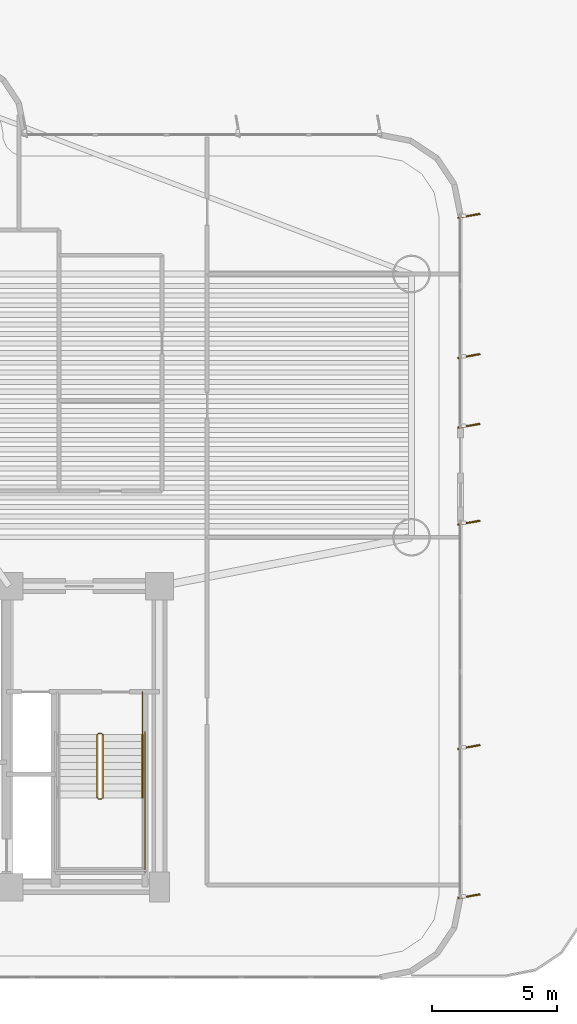
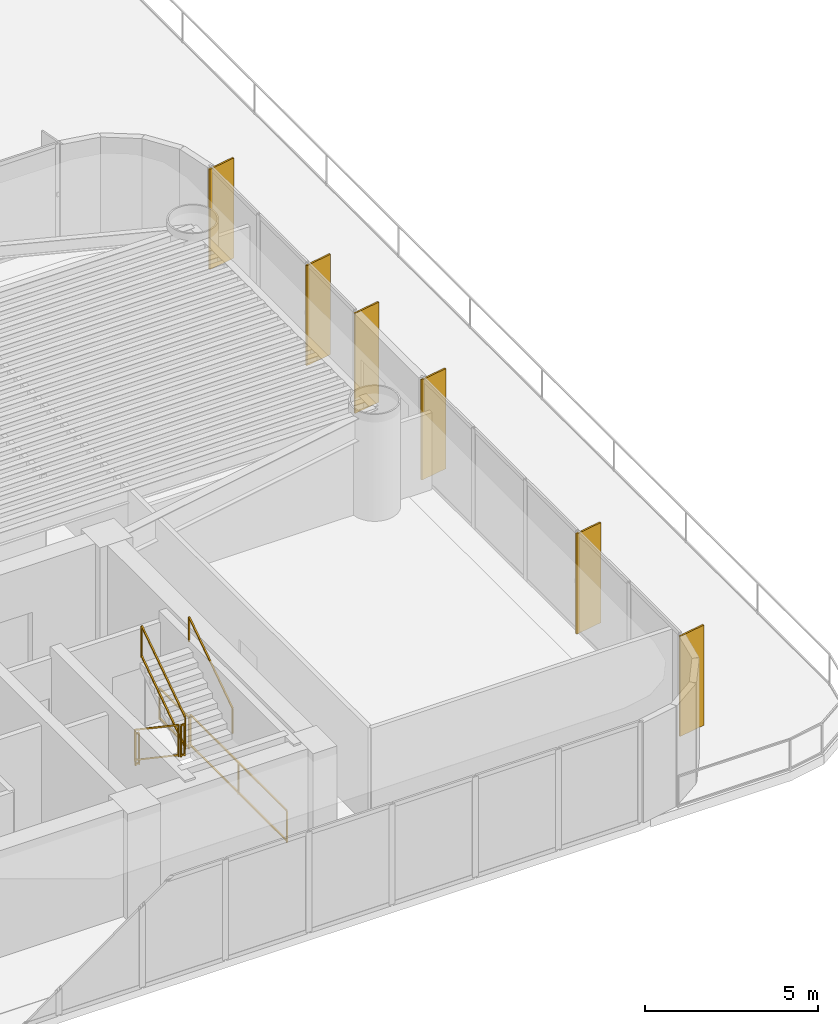
# One storey, part 16 of 17: 7 railings, 6 shading devices.
"""IFC4 building model written with IfcOpenShell, lengths in metres."""

from ifc_helpers import new_model, si_unit, direction, frame, origin, origin_2d, place, context, subcontext, project, spatial, rectangle, extrude, source, transform, mapped, material, layer, layer_set, material_profile, profile_set, type_object, element, save


model = new_model("IFC4")

# Units and contexts
model_context = context("Model", 3, precision=1e-05, world=origin(), true_north=direction((0.0, 1.0)))
body_context = subcontext(model_context, "Body", "Model", "MODEL_VIEW")
ifc_project = project(units=[si_unit("LENGTHUNIT", "METRE"), si_unit("AREAUNIT", "SQUARE_METRE"), si_unit("VOLUMEUNIT", "CUBIC_METRE"), si_unit("PLANEANGLEUNIT", "RADIAN"), si_unit("MASSUNIT", "GRAM", prefix="KILO")], contexts=[model_context])

# Site, building, storey
site_placement = place(None, origin())
site = spatial("IfcSite", under=ifc_project, at=site_placement, CompositionType="ELEMENT")
building_placement = place(site_placement, origin())
building = spatial("IfcBuilding", under=site, at=building_placement, Name="Brelvock Crest Care Tower", CompositionType="ELEMENT")
storey_placement = place(building_placement, frame((0.0, 0.0, 27.0)))
storey = spatial("IfcBuildingStorey", under=building, at=storey_placement, Name="L06", CompositionType="ELEMENT", Elevation=27.0)

# Railings
ifc_material_1 = material(Name="Steel Grade 350", Category="steel")
ifc_layer_1 = layer(ifc_material_1, 0.050048828125, Name="RL-STG1")
ifc_layer_set_1 = layer_set([ifc_layer_1], Name="Steel Grade 350")
railing_type_1 = type_object("IfcRailingType", Name="RL-STG1", PredefinedType="GUARDRAIL", material=ifc_layer_set_1)
railing_1_placement = place(storey_placement, frame((45.52001953125, 12.080078125, 0.18896484375)))
element("IfcRailing", 1, at=railing_1_placement, inside=storey, type_object=railing_type_1, Name="L06 ST-2 stair guard 1", PredefinedType="GUARDRAIL", context=body_context, shape_type="SweptSolid", body=[
    extrude(rectangle(XDim=0.048095703125, YDim=0.048095703125, at=origin_2d()), frame((0.0, -0.001708984375, 1.116943359375), z_axis=(0.0, -0.828861706735, 0.559453546873), x_axis=(1.0, 0.0, 0.0)), (0.0, 0.0, 1.0), 3.036376953125),
    extrude(rectangle(XDim=0.048095703125, YDim=0.048095703125, at=origin_2d()), frame((0.0, -0.001708984375, 0.05615234375), z_axis=(0.0, -0.828861706735, 0.559453546873), x_axis=(1.0, 0.0, 0.0)), (0.0, 0.0, 1.0), 3.036376953125),
    extrude(rectangle(XDim=0.0419921875, YDim=0.0419921875, at=origin_2d()), origin(), (0.0, 0.0, 1.0), 1.08984375),
    extrude(rectangle(XDim=0.0419921875, YDim=0.0419921875, at=origin_2d()), frame((0.0, -2.52001953125, 1.700927734375)), (0.0, 0.0, 1.0), 1.08984375),
])
railing_2_placement = place(storey_placement, frame((45.570068359375, 9.510009765625, 1.889892578125)))
element("IfcRailing", 2, at=railing_2_placement, inside=storey, type_object=railing_type_1, Name="L06 ST-2 stair guard 2", PredefinedType="GUARDRAIL", context=body_context, shape_type="SweptSolid", body=[
    extrude(rectangle(XDim=0.048095703125, YDim=0.048095703125, at=origin_2d()), frame((0.001953125, 0.0, 1.11572265625), z_axis=(1.0, 0.0, 0.0), x_axis=(0.0, 1.0, 0.0)), (0.0, 0.0, 1.0), 0.115966796875),
    extrude(rectangle(XDim=0.048095703125, YDim=0.048095703125, at=origin_2d()), frame((0.001953125, 0.0, 0.054931640625), z_axis=(1.0, 0.0, 0.0), x_axis=(0.0, 1.0, 0.0)), (0.0, 0.0, 1.0), 0.115966796875),
    extrude(rectangle(XDim=0.0419921875, YDim=0.0419921875, at=origin_2d()), origin(), (0.0, 0.0, 1.0), 1.08984375),
    extrude(rectangle(XDim=0.0419921875, YDim=0.0419921875, at=origin_2d()), frame((0.119873046875, 0.0, 0.0)), (0.0, 0.0, 1.0), 1.08984375),
])
railing_3_placement = place(storey_placement, frame((45.739990234375, 9.56005859375, 2.0791015625)))
element("IfcRailing", 3, at=railing_3_placement, inside=storey, type_object=railing_type_1, Name="L06 ST-2 stair guard 6", PredefinedType="GUARDRAIL", context=body_context, shape_type="SweptSolid", body=[
    extrude(rectangle(XDim=0.048095703125, YDim=0.048095703125, at=origin_2d()), frame((0.0, 0.001708984375, 1.116943359375), z_axis=(0.0, 0.828861706735, 0.559453546873), x_axis=(-1.0, 0.0, 0.0)), (0.0, 0.0, 1.0), 3.036376953125),
    extrude(rectangle(XDim=0.048095703125, YDim=0.048095703125, at=origin_2d()), frame((0.0, 0.001708984375, 0.05615234375), z_axis=(0.0, 0.828861706735, 0.559453546873), x_axis=(-1.0, 0.0, 0.0)), (0.0, 0.0, 1.0), 3.036376953125),
    extrude(rectangle(XDim=0.0419921875, YDim=0.0419921875, at=origin_2d()), origin(), (0.0, 0.0, 1.0), 1.08984375),
    extrude(rectangle(XDim=0.0419921875, YDim=0.0419921875, at=origin_2d()), frame((0.0, 2.52001953125, 1.700927734375)), (0.0, 0.0, 1.0), 1.08984375),
])
railing_4_placement = place(storey_placement, frame((45.570068359375, 12.1298828125, 0.0)))
element("IfcRailing", 4, at=railing_4_placement, inside=storey, type_object=railing_type_1, Name="L06 ST-2 stair guard 7", PredefinedType="GUARDRAIL", context=body_context, shape_type="SweptSolid", body=[
    extrude(rectangle(XDim=0.048095703125, YDim=0.048095703125, at=origin_2d()), frame((0.001953125, 0.0, 1.11572265625), z_axis=(1.0, 0.0, 0.0), x_axis=(0.0, 1.0, 0.0)), (0.0, 0.0, 1.0), 0.115966796875),
    extrude(rectangle(XDim=0.048095703125, YDim=0.048095703125, at=origin_2d()), frame((0.001953125, 0.0, 0.054931640625), z_axis=(1.0, 0.0, 0.0), x_axis=(0.0, 1.0, 0.0)), (0.0, 0.0, 1.0), 0.115966796875),
    extrude(rectangle(XDim=0.0419921875, YDim=0.0419921875, at=origin_2d()), origin(), (0.0, 0.0, 1.0), 1.08984375),
    extrude(rectangle(XDim=0.0419921875, YDim=0.0419921875, at=origin_2d()), frame((0.119873046875, 0.0, 0.0)), (0.0, 0.0, 1.0), 1.08984375),
])
railing_5_placement = place(storey_placement, frame((47.320068359375, 13.780029296875, 0.0)))
element("IfcRailing", 5, at=railing_5_placement, inside=storey, type_object=railing_type_1, Name="L06 ST-2 stair guard 9", PredefinedType="GUARDRAIL", context=body_context, shape_type="SweptSolid", body=[
    extrude(rectangle(XDim=0.048095703125, YDim=0.048095703125, at=origin_2d()), frame((0.0, -0.001953125, 1.11572265625), z_axis=(0.0, -1.0, 0.0), x_axis=(1.0, 0.0, 0.0)), (0.0, 0.0, 1.0), 1.696044921875),
    extrude(rectangle(XDim=0.048095703125, YDim=0.048095703125, at=origin_2d()), frame((0.0, -0.001953125, 0.054931640625), z_axis=(0.0, -1.0, 0.0), x_axis=(1.0, 0.0, 0.0)), (0.0, 0.0, 1.0), 1.696044921875),
    extrude(rectangle(XDim=0.0419921875, YDim=0.0419921875, at=origin_2d()), origin(), (0.0, 0.0, 1.0), 1.08984375),
    extrude(rectangle(XDim=0.0419921875, YDim=0.0419921875, at=origin_2d()), frame((0.0, -1.699951171875, 0.0)), (0.0, 0.0, 1.0), 1.08984375),
])
railing_6_placement = place(storey_placement, frame((47.419921875, 12.179931640625, 0.0)))
element("IfcRailing", 6, at=railing_6_placement, inside=storey, type_object=railing_type_1, Name="L06 ST-2 stair guard 11", PredefinedType="GUARDRAIL", context=body_context, shape_type="SweptSolid", body=[
    extrude(rectangle(XDim=0.048095703125, YDim=0.048095703125, at=origin_2d()), frame((0.0, -0.001953125, 1.11572265625), z_axis=(0.0, -1.0, 0.0), x_axis=(1.0, 0.0, 0.0)), (0.0, 0.0, 1.0), 5.575927734375),
    extrude(rectangle(XDim=0.048095703125, YDim=0.048095703125, at=origin_2d()), frame((0.0, -0.001953125, 0.054931640625), z_axis=(0.0, -1.0, 0.0), x_axis=(1.0, 0.0, 0.0)), (0.0, 0.0, 1.0), 5.575927734375),
    extrude(rectangle(XDim=0.0419921875, YDim=0.0419921875, at=origin_2d()), origin(), (0.0, 0.0, 1.0), 1.08984375),
    extrude(rectangle(XDim=0.0419921875, YDim=0.0419921875, at=origin_2d()), frame((0.0, -2.7900390625, 0.0)), (0.0, 0.0, 1.0), 1.08984375),
    extrude(rectangle(XDim=0.0419921875, YDim=0.0419921875, at=origin_2d()), frame((0.0, -5.579833984375, 0.0)), (0.0, 0.0, 1.0), 1.08984375),
])
ifc_layer_2 = layer(ifc_material_1, 0.048095703125, Name="RL-STH1")
ifc_layer_set_2 = layer_set([ifc_layer_2], Name="Steel Grade 350")
railing_type_2 = type_object("IfcRailingType", Name="RL-STH1", PredefinedType="HANDRAIL", material=ifc_layer_set_2)
railing_7_placement = place(storey_placement, frame((47.320068359375, 9.56005859375, 2.0791015625)))
element("IfcRailing", 7, at=railing_7_placement, inside=storey, type_object=railing_type_2, Name="L06 ST-2 stair handrail 2", PredefinedType="HANDRAIL", context=body_context, shape_type="SweptSolid", body=[
    extrude(rectangle(XDim=0.048095703125, YDim=0.048095703125, at=origin_2d()), frame((0.0, 0.001708984375, 0.876953125), z_axis=(0.0, 0.828861706735, 0.559453546873), x_axis=(-1.0, 0.0, 0.0)), (0.0, 0.0, 1.0), 3.036376953125),
    extrude(rectangle(XDim=0.0419921875, YDim=0.0419921875, at=origin_2d()), origin(), (0.0, 0.0, 1.0), 0.849853515625),
    extrude(rectangle(XDim=0.0419921875, YDim=0.0419921875, at=origin_2d()), frame((0.0, 2.52001953125, 1.700927734375)), (0.0, 0.0, 1.0), 0.849853515625),
])

# Shading devices
ifc_material_2 = material(Name="Aluminium 6063-T6", Category="aluminium")
ifc_material_profile = material_profile(ifc_material_2, rectangle(XDim=0.054931640625, YDim=0.89990234375, at=origin_2d()), Name="FIN55x900")
ifc_profile_set = profile_set([ifc_material_profile], Name="Aluminium 6063-T6")
shading_device_type = type_object("IfcShadingDeviceType", Name="SHD-FIN1", PredefinedType="USERDEFINED", material=ifc_profile_set)
shared_shape = source(origin(), body_context, "Body", "SweptSolid", [
    extrude(rectangle(XDim=0.054931640625, YDim=0.89990234375, at=origin_2d()), origin(), (0.0, 0.0, 1.0), 3.530029296875),
])
for number, where, z_axis, x_axis, name in (
    (8, (60.340087890625, 32.767578125, 0.0), (0.0, 0.0, 1.0), (0.173648177667, -0.984807753012, 0.0), "L06 Vertical Sunshade Fin E03A-01"),
    (9, (60.340087890625, 27.176025390625, 0.0), (0.0, 0.0, 1.0), (0.173648177667, -0.984807753012, 0.0), "L06 Vertical Sunshade Fin E03A-03"),
    (10, (60.340087890625, 24.396484375, 0.0), (0.0, 0.0, 1.0), (0.173648177667, -0.984807753012, 0.0), "L06 Vertical Sunshade Fin E03A-04"),
    (11, (60.340087890625, 20.531494140625, 0.0), (0.0, 0.0, 1.0), (0.173648177667, -0.984807753012, 0.0), "L06 Vertical Sunshade Fin E03B-01"),
    (12, (60.340087890625, 11.585693359375, 0.0), (0.0, 0.0, 1.0), (0.173648177667, -0.984807753012, 0.0), "L06 Vertical Sunshade Fin E03B-04"),
    (13, (60.340087890625, 5.632568359375, 0.0), (0.0, 0.0, 1.0), (0.173648177667, -0.984807753012, 0.0), "L06 Vertical Sunshade Fin E03B-06"),
):
    element("IfcShadingDevice", number, at=place(storey_placement, frame(where, z_axis=z_axis, x_axis=x_axis)), inside=storey, type_object=shading_device_type, Name=name, ObjectType="FIN", PredefinedType="USERDEFINED", context=body_context, shape_type="MappedRepresentation", body=[
        mapped(shared_shape, transform((0.0, 0.0, 0.0), x_axis=(1.0, 0.0, 0.0), y_axis=(0.0, 1.0, 0.0), z_axis=(0.0, 0.0, 1.0), scale=1.0)),
    ])

save(model, "model.ifc")
